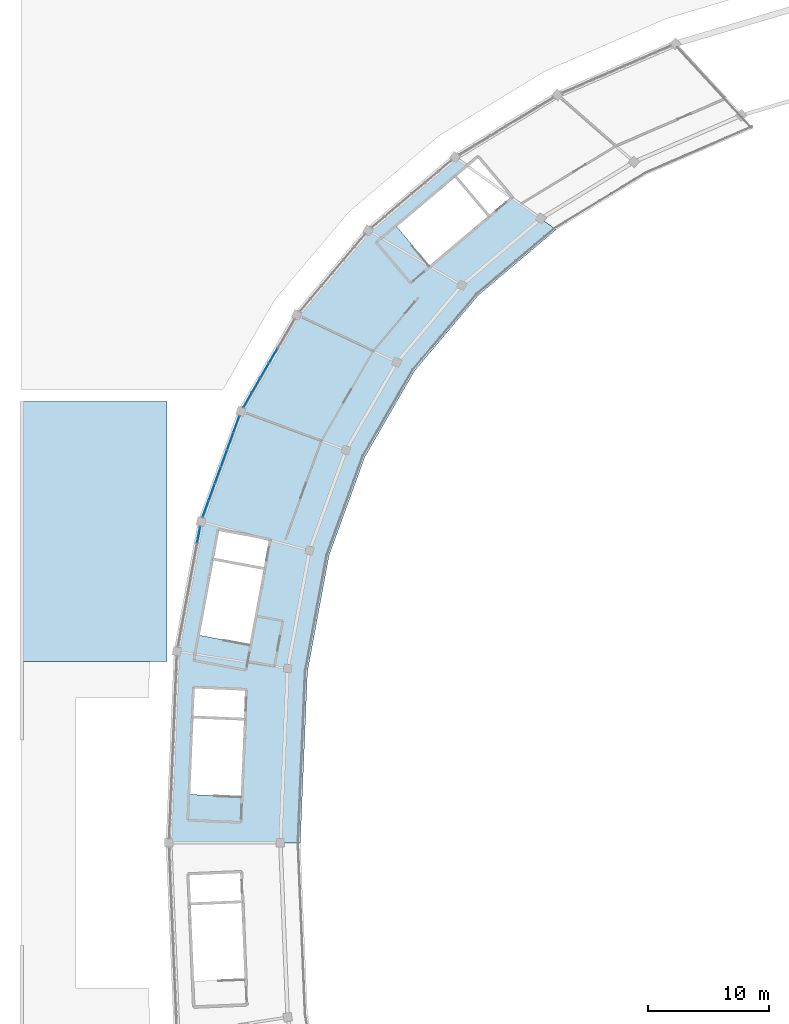
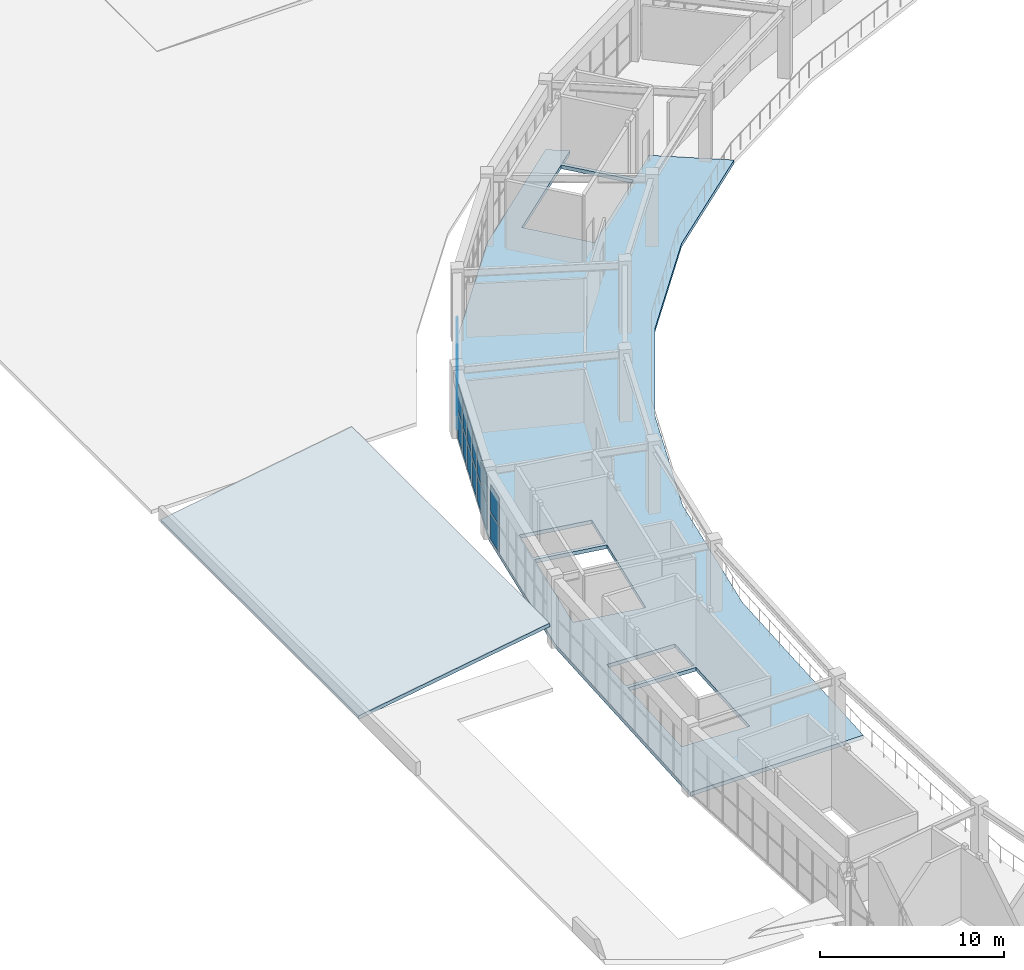
# One storey, part 32 of 45: 22 plates, 2 slabs, 4 elements without a shape of their own.
"""IFC4 building model written with IfcOpenShell, lengths in metres."""

from ifc_helpers import new_model, si_unit, direction, frame, origin, origin_2d, place, context, subcontext, project, spatial, polyline, rectangle, outline, extrude, material, layer, layer_set, type_object, element, aggregate, save


model = new_model("IFC4")

# Units and contexts
model_context = context("Model", 3, precision=1e-05, world=origin(), true_north=direction((0.0, 1.0)))
body_context = subcontext(model_context, "Body", "Model", "MODEL_VIEW")
ifc_project = project(units=[si_unit("LENGTHUNIT", "METRE"), si_unit("AREAUNIT", "SQUARE_METRE"), si_unit("VOLUMEUNIT", "CUBIC_METRE"), si_unit("PLANEANGLEUNIT", "RADIAN"), si_unit("MASSUNIT", "GRAM", prefix="KILO")], contexts=[model_context])

# Site, building, storey
site_placement = place(None, origin())
site = spatial("IfcSite", under=ifc_project, at=site_placement, CompositionType="ELEMENT")
building_placement = place(site_placement, origin())
building = spatial("IfcBuilding", under=site, at=building_placement, Name="Mphavela Belvedere Stadium", CompositionType="ELEMENT")
storey_placement = place(building_placement, frame((0.0, 0.0, 24.0)))
storey = spatial("IfcBuildingStorey", under=building, at=storey_placement, Name="L05", CompositionType="ELEMENT", Elevation=24.0)

# Curtain wall, plates
ifc_material_1 = material(Name="Anodised bronze unitised curtain wall framing")
ifc_layer_1 = layer(ifc_material_1, 0.18994140625)
ifc_layer_set_1 = layer_set([ifc_layer_1], Name="Anodised bronze unitised curtain wall framing")
curtain_wall_type_1 = type_object("IfcCurtainWallType", Name="CW-UNIT-03", PredefinedType="USERDEFINED", material=ifc_layer_set_1)
curtain_wall_1_placement = place(storey_placement, origin())
curtain_wall_1 = element("IfcCurtainWall", 1, at=curtain_wall_1_placement, inside=storey, type_object=curtain_wall_type_1, Name="Belvedere colonnade curtain wall L05-21", ObjectType="UNITISED CURTAIN WALL", PredefinedType="USERDEFINED")
ifc_material_2 = material(Name="Solar-control double glazing", Category="glass")
ifc_layer_2 = layer(ifc_material_2, 0.031982421875)
ifc_layer_set_2 = layer_set([ifc_layer_2], Name="Solar-control double glazing")
plate_type = type_object("IfcPlateType", Name="CWP-SOLAR-GLASS", PredefinedType="CURTAIN_PANEL", material=ifc_layer_set_2)
plate_1_placement = place(storey_placement, frame((20.80615234375, 127.28662109375, 0.06005859375), z_axis=(0.0, 0.0, 1.0), x_axis=(-0.500555998906, -0.865704159606, 0.0)))
plate_1 = element("IfcPlate", 2, at=plate_1_placement, type_object=plate_type, Name="CW-03 panel 3.1", PredefinedType="CURTAIN_PANEL", context=body_context, shape_type="SweptSolid", body=[
    extrude(rectangle(XDim=1.355224609375, YDim=0.031982421875, at=origin_2d()), origin(), (0.0, 0.0, 1.0), 1.77001953125),
])
plate_2_placement = place(storey_placement, frame((20.80615234375, 127.28662109375, 1.889892578125), z_axis=(0.0, 0.0, 1.0), x_axis=(-0.500555998906, -0.865704159606, 0.0)))
plate_2 = element("IfcPlate", 3, at=plate_2_placement, type_object=plate_type, Name="CW-03 panel 3.2", PredefinedType="CURTAIN_PANEL", context=body_context, shape_type="SweptSolid", body=[
    extrude(rectangle(XDim=1.355224609375, YDim=0.031982421875, at=origin_2d()), origin(), (0.0, 0.0, 1.0), 1.77001953125),
])
plate_3_placement = place(storey_placement, frame((20.09521484375, 126.05712890625, 0.06005859375), z_axis=(0.0, 0.0, 1.0), x_axis=(-0.500555998906, -0.865704159606, 0.0)))
plate_3 = element("IfcPlate", 4, at=plate_3_placement, type_object=plate_type, Name="CW-03 panel 4.1", PredefinedType="CURTAIN_PANEL", context=body_context, shape_type="SweptSolid", body=[
    extrude(rectangle(XDim=1.355224609375, YDim=0.031982421875, at=origin_2d()), origin(), (0.0, 0.0, 1.0), 1.77001953125),
])
plate_4_placement = place(storey_placement, frame((20.09521484375, 126.05712890625, 1.889892578125), z_axis=(0.0, 0.0, 1.0), x_axis=(-0.500555998906, -0.865704159606, 0.0)))
plate_4 = element("IfcPlate", 5, at=plate_4_placement, type_object=plate_type, Name="CW-03 panel 4.2", PredefinedType="CURTAIN_PANEL", context=body_context, shape_type="SweptSolid", body=[
    extrude(rectangle(XDim=1.355224609375, YDim=0.031982421875, at=origin_2d()), origin(), (0.0, 0.0, 1.0), 1.77001953125),
])
plate_5_placement = place(storey_placement, frame((19.384521484375, 124.82763671875, 0.06005859375), z_axis=(0.0, 0.0, 1.0), x_axis=(-0.500555998906, -0.865704159606, 0.0)))
plate_5 = element("IfcPlate", 6, at=plate_5_placement, type_object=plate_type, Name="CW-03 panel 5.1", PredefinedType="CURTAIN_PANEL", context=body_context, shape_type="SweptSolid", body=[
    extrude(rectangle(XDim=1.355224609375, YDim=0.031982421875, at=origin_2d()), origin(), (0.0, 0.0, 1.0), 1.77001953125),
])
plate_6_placement = place(storey_placement, frame((19.384521484375, 124.82763671875, 1.889892578125), z_axis=(0.0, 0.0, 1.0), x_axis=(-0.500555998906, -0.865704159606, 0.0)))
plate_6 = element("IfcPlate", 7, at=plate_6_placement, type_object=plate_type, Name="CW-03 panel 5.2", PredefinedType="CURTAIN_PANEL", context=body_context, shape_type="SweptSolid", body=[
    extrude(rectangle(XDim=1.355224609375, YDim=0.031982421875, at=origin_2d()), origin(), (0.0, 0.0, 1.0), 1.77001953125),
])
plate_7_placement = place(storey_placement, frame((18.681640625, 123.6123046875, 0.06005859375), z_axis=(0.0, 0.0, 1.0), x_axis=(-0.500555998906, -0.865704159606, 0.0)))
plate_7 = element("IfcPlate", 8, at=plate_7_placement, type_object=plate_type, Name="CW-03 panel 6.1", PredefinedType="CURTAIN_PANEL", context=body_context, shape_type="SweptSolid", body=[
    extrude(rectangle(XDim=1.32275390625, YDim=0.031982421875, at=origin_2d()), origin(), (0.0, 0.0, 1.0), 1.77001953125),
])
plate_8_placement = place(storey_placement, frame((18.681640625, 123.6123046875, 1.889892578125), z_axis=(0.0, 0.0, 1.0), x_axis=(-0.500555998906, -0.865704159606, 0.0)))
plate_8 = element("IfcPlate", 9, at=plate_8_placement, type_object=plate_type, Name="CW-03 panel 6.2", PredefinedType="CURTAIN_PANEL", context=body_context, shape_type="SweptSolid", body=[
    extrude(rectangle(XDim=1.32275390625, YDim=0.031982421875, at=origin_2d()), origin(), (0.0, 0.0, 1.0), 1.77001953125),
])
aggregate(curtain_wall_1, [plate_1, plate_2, plate_3, plate_4, plate_5, plate_6, plate_7, plate_8])

ifc_material_3 = material(Name="Anodised bronze unitised curtain wall framing")
ifc_layer_3 = layer(ifc_material_3, 0.195068359375)
ifc_layer_set_3 = layer_set([ifc_layer_3], Name="Anodised bronze unitised curtain wall framing")
curtain_wall_type_2 = type_object("IfcCurtainWallType", Name="CW-UNIT-04", PredefinedType="USERDEFINED", material=ifc_layer_set_3)
curtain_wall_2_placement = place(storey_placement, origin())
curtain_wall_2 = element("IfcCurtainWall", 10, at=curtain_wall_2_placement, inside=storey, type_object=curtain_wall_type_2, Name="Belvedere colonnade curtain wall L05-22", ObjectType="UNITISED CURTAIN WALL", PredefinedType="USERDEFINED")
plate_9_placement = place(storey_placement, frame((17.763671875, 121.634521484375, 0.06005859375), z_axis=(0.0, 0.0, 1.0), x_axis=(-0.341027014251, -0.940053496111, 0.0)))
plate_9 = element("IfcPlate", 11, at=plate_9_placement, type_object=plate_type, Name="CW-04 panel 1.1", PredefinedType="CURTAIN_PANEL", context=body_context, shape_type="SweptSolid", body=[
    extrude(rectangle(XDim=1.4033203125, YDim=0.031982421875, at=origin_2d()), origin(), (0.0, 0.0, 1.0), 1.77001953125),
])
plate_10_placement = place(storey_placement, frame((17.763671875, 121.634521484375, 1.889892578125), z_axis=(0.0, 0.0, 1.0), x_axis=(-0.341027014251, -0.940053496111, 0.0)))
plate_10 = element("IfcPlate", 12, at=plate_10_placement, type_object=plate_type, Name="CW-04 panel 1.2", PredefinedType="CURTAIN_PANEL", context=body_context, shape_type="SweptSolid", body=[
    extrude(rectangle(XDim=1.4033203125, YDim=0.031982421875, at=origin_2d()), origin(), (0.0, 0.0, 1.0), 1.77001953125),
])
plate_11_placement = place(storey_placement, frame((17.25732421875, 120.23876953125, 0.06005859375), z_axis=(0.0, 0.0, 1.0), x_axis=(-0.341027014251, -0.940053496111, 0.0)))
plate_11 = element("IfcPlate", 13, at=plate_11_placement, type_object=plate_type, Name="CW-04 panel 2.1", PredefinedType="CURTAIN_PANEL", context=body_context, shape_type="SweptSolid", body=[
    extrude(rectangle(XDim=1.435791015625, YDim=0.031982421875, at=origin_2d()), origin(), (0.0, 0.0, 1.0), 1.77001953125),
])
plate_12_placement = place(storey_placement, frame((17.25732421875, 120.23876953125, 1.889892578125), z_axis=(0.0, 0.0, 1.0), x_axis=(-0.341027014251, -0.940053496111, 0.0)))
plate_12 = element("IfcPlate", 14, at=plate_12_placement, type_object=plate_type, Name="CW-04 panel 2.2", PredefinedType="CURTAIN_PANEL", context=body_context, shape_type="SweptSolid", body=[
    extrude(rectangle(XDim=1.435791015625, YDim=0.031982421875, at=origin_2d()), origin(), (0.0, 0.0, 1.0), 1.77001953125),
])
plate_13_placement = place(storey_placement, frame((16.74560546875, 118.827880859375, 0.06005859375), z_axis=(0.0, 0.0, 1.0), x_axis=(-0.341027014251, -0.940053496111, 0.0)))
plate_13 = element("IfcPlate", 15, at=plate_13_placement, type_object=plate_type, Name="CW-04 panel 3.1", PredefinedType="CURTAIN_PANEL", context=body_context, shape_type="SweptSolid", body=[
    extrude(rectangle(XDim=1.435791015625, YDim=0.031982421875, at=origin_2d()), origin(), (0.0, 0.0, 1.0), 1.77001953125),
])
plate_14_placement = place(storey_placement, frame((16.74560546875, 118.827880859375, 1.889892578125), z_axis=(0.0, 0.0, 1.0), x_axis=(-0.341027014251, -0.940053496111, 0.0)))
plate_14 = element("IfcPlate", 16, at=plate_14_placement, type_object=plate_type, Name="CW-04 panel 3.2", PredefinedType="CURTAIN_PANEL", context=body_context, shape_type="SweptSolid", body=[
    extrude(rectangle(XDim=1.435791015625, YDim=0.031982421875, at=origin_2d()), origin(), (0.0, 0.0, 1.0), 1.77001953125),
])
plate_15_placement = place(storey_placement, frame((16.233642578125, 117.4169921875, 0.06005859375), z_axis=(0.0, 0.0, 1.0), x_axis=(-0.341027014251, -0.940053496111, 0.0)))
plate_15 = element("IfcPlate", 17, at=plate_15_placement, type_object=plate_type, Name="CW-04 panel 4.1", PredefinedType="CURTAIN_PANEL", context=body_context, shape_type="SweptSolid", body=[
    extrude(rectangle(XDim=1.435791015625, YDim=0.031982421875, at=origin_2d()), origin(), (0.0, 0.0, 1.0), 1.77001953125),
])
plate_16_placement = place(storey_placement, frame((16.233642578125, 117.4169921875, 1.889892578125), z_axis=(0.0, 0.0, 1.0), x_axis=(-0.341027014251, -0.940053496111, 0.0)))
plate_16 = element("IfcPlate", 18, at=plate_16_placement, type_object=plate_type, Name="CW-04 panel 4.2", PredefinedType="CURTAIN_PANEL", context=body_context, shape_type="SweptSolid", body=[
    extrude(rectangle(XDim=1.435791015625, YDim=0.031982421875, at=origin_2d()), origin(), (0.0, 0.0, 1.0), 1.77001953125),
])
plate_17_placement = place(storey_placement, frame((15.721923828125, 116.006103515625, 0.06005859375), z_axis=(0.0, 0.0, 1.0), x_axis=(-0.341027014251, -0.940053496111, 0.0)))
plate_17 = element("IfcPlate", 19, at=plate_17_placement, type_object=plate_type, Name="CW-04 panel 5.1", PredefinedType="CURTAIN_PANEL", context=body_context, shape_type="SweptSolid", body=[
    extrude(rectangle(XDim=1.435791015625, YDim=0.031982421875, at=origin_2d()), origin(), (0.0, 0.0, 1.0), 1.77001953125),
])
plate_18_placement = place(storey_placement, frame((15.721923828125, 116.006103515625, 1.889892578125), z_axis=(0.0, 0.0, 1.0), x_axis=(-0.341027014251, -0.940053496111, 0.0)))
plate_18 = element("IfcPlate", 20, at=plate_18_placement, type_object=plate_type, Name="CW-04 panel 5.2", PredefinedType="CURTAIN_PANEL", context=body_context, shape_type="SweptSolid", body=[
    extrude(rectangle(XDim=1.435791015625, YDim=0.031982421875, at=origin_2d()), origin(), (0.0, 0.0, 1.0), 1.77001953125),
])
plate_19_placement = place(storey_placement, frame((15.215576171875, 114.6103515625, 0.06005859375), z_axis=(0.0, 0.0, 1.0), x_axis=(-0.341027014251, -0.940053496111, 0.0)))
plate_19 = element("IfcPlate", 21, at=plate_19_placement, type_object=plate_type, Name="CW-04 panel 6.1", PredefinedType="CURTAIN_PANEL", context=body_context, shape_type="SweptSolid", body=[
    extrude(rectangle(XDim=1.4033203125, YDim=0.031982421875, at=origin_2d()), origin(), (0.0, 0.0, 1.0), 1.77001953125),
])
plate_20_placement = place(storey_placement, frame((15.215576171875, 114.6103515625, 1.889892578125), z_axis=(0.0, 0.0, 1.0), x_axis=(-0.341027014251, -0.940053496111, 0.0)))
plate_20 = element("IfcPlate", 22, at=plate_20_placement, type_object=plate_type, Name="CW-04 panel 6.2", PredefinedType="CURTAIN_PANEL", context=body_context, shape_type="SweptSolid", body=[
    extrude(rectangle(XDim=1.4033203125, YDim=0.031982421875, at=origin_2d()), origin(), (0.0, 0.0, 1.0), 1.77001953125),
])
aggregate(curtain_wall_2, [plate_9, plate_10, plate_11, plate_12, plate_13, plate_14, plate_15, plate_16, plate_17, plate_18, plate_19, plate_20])

ifc_material_4 = material(Name="Anodised bronze unitised curtain wall framing")
ifc_layer_4 = layer(ifc_material_4, 0.199951171875)
ifc_layer_set_4 = layer_set([ifc_layer_4], Name="Anodised bronze unitised curtain wall framing")
curtain_wall_type_3 = type_object("IfcCurtainWallType", Name="CW-UNIT-05", PredefinedType="USERDEFINED", material=ifc_layer_set_4)
curtain_wall_3_placement = place(storey_placement, origin())
curtain_wall_3 = element("IfcCurtainWall", 23, at=curtain_wall_3_placement, inside=storey, type_object=curtain_wall_type_3, Name="Belvedere colonnade curtain wall L05-23", ObjectType="UNITISED CURTAIN WALL", PredefinedType="USERDEFINED")
plate_21_placement = place(storey_placement, frame((14.6357421875, 112.48779296875, 0.06005859375), z_axis=(0.0, 0.0, 1.0), x_axis=(-0.182618040183, -0.98318393569, 0.0)))
plate_21 = element("IfcPlate", 24, at=plate_21_placement, type_object=plate_type, Name="CW-05 panel 1.1", PredefinedType="CURTAIN_PANEL", context=body_context, shape_type="SweptSolid", body=[
    extrude(rectangle(XDim=1.3603515625, YDim=0.031982421875, at=origin_2d()), origin(), (0.0, 0.0, 1.0), 1.77001953125),
])
plate_22_placement = place(storey_placement, frame((14.6357421875, 112.48779296875, 1.889892578125), z_axis=(0.0, 0.0, 1.0), x_axis=(-0.182618040183, -0.98318393569, 0.0)))
plate_22 = element("IfcPlate", 25, at=plate_22_placement, type_object=plate_type, Name="CW-05 panel 1.2", PredefinedType="CURTAIN_PANEL", context=body_context, shape_type="SweptSolid", body=[
    extrude(rectangle(XDim=1.3603515625, YDim=0.031982421875, at=origin_2d()), origin(), (0.0, 0.0, 1.0), 1.77001953125),
])
aggregate(curtain_wall_3, [plate_21, plate_22])

# Slab
ifc_material_5 = material(Name="Concrete C40/50", Category="concrete")
ifc_layer_5 = layer(ifc_material_5, 0.25)
ifc_layer_set_5 = layer_set([ifc_layer_5], Name="Concrete C40/50")
slab_type_1 = type_object("IfcSlabType", Name="SLB-CONCOURSE-250", PredefinedType="FLOOR", material=ifc_layer_set_5)
slab_1_placement = place(storey_placement, frame((0.0, 0.0, -0.25)))
element("IfcSlab", 26, at=slab_1_placement, inside=storey, type_object=slab_type_1, Name="Concourse sector slab L05-S4", PredefinedType="FLOOR", context=body_context, shape_type="SweptSolid", body=[
    extrude(outline(polyline([(22.757568359375, 130.66162109375), (28.66162109375, 137.653564453125), (35.844482421875, 143.714599609375), (36.924560546875, 142.940673828125), (36.0, 142.160400390625), (38.702392578125, 138.958251953125), (40.4296875, 140.415771484375), (40.400634765625, 140.4501953125), (44.2080078125, 137.72216796875), (37.7841796875, 132.301513671875), (32.50390625, 126.048095703125), (28.377685546875, 118.912109375), (25.418701171875, 110.755859375), (23.638427734375, 101.1708984375), (23.0439453125, 87.0), (12.179931640625, 87.0), (12.844482421875, 102.844970703125), (14.83544921875, 113.5625), (18.143798828125, 122.682373046875), (22.757568359375, 130.66162109375)]), holes=[polyline([(35.83203125, 142.0185546875), (31.020263671875, 137.9580078125), (33.722412109375, 134.755859375), (38.5341796875, 138.81640625), (35.83203125, 142.0185546875)]), polyline([(18.845458984375, 103.398193359375), (19.9951171875, 109.58837890625), (15.87548828125, 110.353271484375), (14.72607421875, 104.1630859375), (18.845458984375, 103.398193359375)]), polyline([(20.03515625, 109.8046875), (20.44775390625, 112.026611328125), (16.328125, 112.79150390625), (15.91552734375, 110.569580078125), (20.03515625, 109.8046875)]), polyline([(14.200439453125, 97.29345703125), (13.936767578125, 91.0029296875), (18.123291015625, 90.827392578125), (18.38671875, 97.117919921875), (14.200439453125, 97.29345703125)]), polyline([(14.30419921875, 99.771240234375), (14.209716796875, 97.51318359375), (18.39599609375, 97.337890625), (18.490478515625, 99.595703125), (14.30419921875, 99.771240234375)])]), origin(), (0.0, 0.0, 1.0), 0.25),
])

# Roof, slab
ifc_material_6 = material(Name="Standing-seam zinc roofing membrane")
roof_type = type_object("IfcRoofType", Name="ROOF-PEDIMENT-ASSY", PredefinedType="GABLE_ROOF", material=ifc_material_6)
roof_placement = place(storey_placement, origin())
roof = element("IfcRoof", 27, at=roof_placement, inside=storey, type_object=roof_type, Name="West Planted Eaves Peristyle Colonnade classical pediment roof", PredefinedType="GABLE_ROOF")
ifc_material_7 = material(Name="Standing-seam zinc insulated roof over Concrete C40/50", Category="concrete")
ifc_layer_6 = layer(ifc_material_7, 0.239990234375)
ifc_layer_set_6 = layer_set([ifc_layer_6], Name="Standing-seam zinc insulated roof over Concrete C40/50")
slab_type_2 = type_object("IfcSlabType", Name="SLB-ROOF-ZINC-240", PredefinedType="ROOF", material=ifc_layer_set_6)
slab_2_placement = place(storey_placement, frame((0.0, 102.0, 0.239990234375), z_axis=(-0.161194163827, 0.0, 0.986922713057), x_axis=(0.986922713057, 0.0, 0.161194163827)))
slab_2 = element("IfcSlab", 28, at=slab_2_placement, type_object=slab_type_2, Name="West Planted Eaves Peristyle Colonnade classical pediment slope N", PredefinedType="ROOF", context=body_context, shape_type="SweptSolid", body=[
    extrude(outline(polyline([(0.0, 0.0), (12.15900682113987, 0.0), (12.15900682113987, 21.5), (0.0, 21.5), (0.0, 0.0)])), origin(), (0.0, 0.0, -1.0), 0.239990234375),
])
aggregate(roof, [slab_2])

save(model, "model.ifc")
